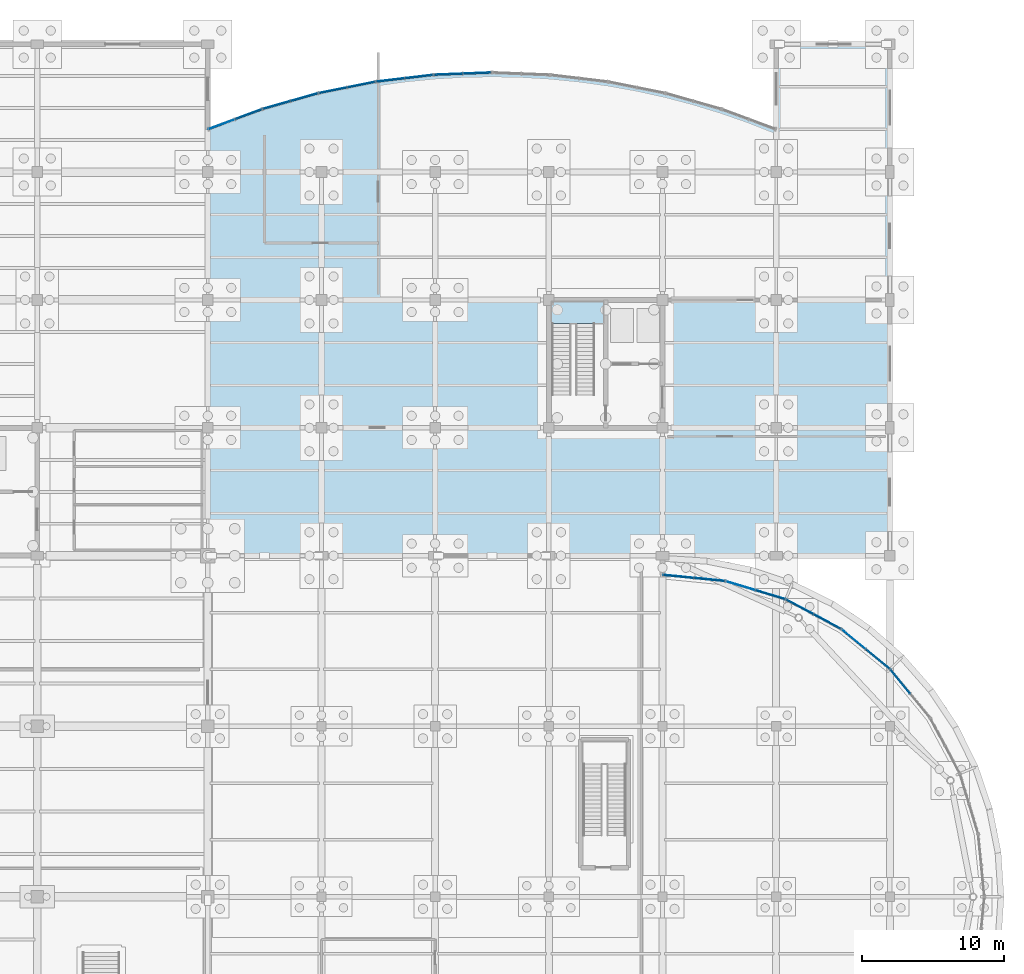
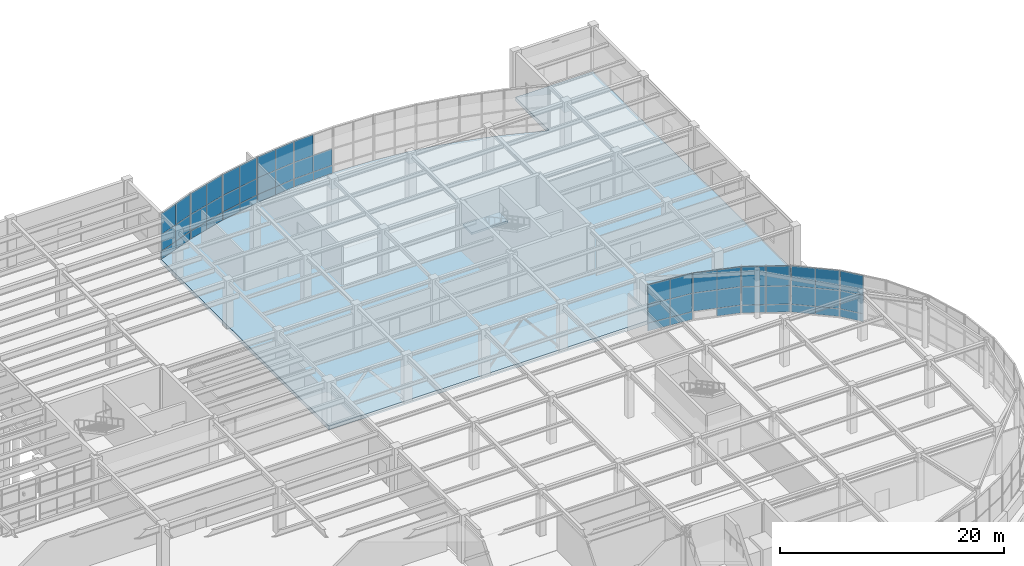
# One storey, part 57 of 85: 55 plates, 2 slabs, 11 elements without a shape of their own.
"""IFC4 building model written with IfcOpenShell, lengths in metres."""

import ifcopenshell
import ifcopenshell.guid

model = None  # the IFC model being written
_history = None  # IfcOwnerHistory: only IFC2X3 demands one
_inside = {}  # id of a spatial element -> (the spatial element, [elements in it])
_under = {}  # id of a project, library or spatial element -> (it, [spatial elements below it])
_declared = {}  # id of a project -> (the project, [libraries it declares])
_typed = {}  # id of a type object -> (the type object, [elements of that type])
_made_of = {}  # id of a material, layer set ... -> (it, [elements and type objects made of it])


def new_model(schema):
    """Start an empty IFC model of exactly this schema.

    Asked for "IFC4X3", IfcOpenShell would pick the latest addendum, in which some entities
    have other attributes; the version numbers below select the first issue.
    IFC2X3 requires an IfcOwnerHistory on every rooted entity: one is made here for all.
    """
    global model, _history
    if schema == "IFC4X3":
        model = ifcopenshell.file(schema_version=(4, 3, 0, 0))
    else:
        model = ifcopenshell.file(schema=schema)
    _inside.clear()
    _under.clear()
    _declared.clear()
    _typed.clear()
    _made_of.clear()
    _history = None
    if model.schema == "IFC2X3":
        org = make("IfcOrganization", Name="unknown")
        user = make(
            "IfcPersonAndOrganization",
            ThePerson=make("IfcPerson", FamilyName="unknown"),
            TheOrganization=org,
        )
        app = make(
            "IfcApplication",
            ApplicationDeveloper=org,
            Version="unknown",
            ApplicationFullName="unknown",
            ApplicationIdentifier="unknown",
        )
        _history = make(
            "IfcOwnerHistory",
            OwningUser=user,
            OwningApplication=app,
            ChangeAction="ADDED",
            CreationDate=0,
        )
    return model


def make(cls, **values):
    """One entity of the class cls with the attributes given. An attribute that is None is left unset."""
    return model.create_entity(
        cls, **{name: value for name, value in values.items() if value is not None}
    )


def rooted(cls, **values):
    """An entity with a GlobalId (a new one), such as an element, a storey or a relation."""
    return make(cls, GlobalId=ifcopenshell.guid.new(), OwnerHistory=_history, **values)


def si_unit(unit_type, name, prefix=None):
    """IfcSIUnit, for example si_unit("LENGTHUNIT", "METRE", prefix="MILLI")."""
    return make("IfcSIUnit", UnitType=unit_type, Prefix=prefix, Name=name)


def assignment(units):
    """IfcUnitAssignment: the units of a project."""
    return None if units is None else make("IfcUnitAssignment", Units=units)


def point(xyz):
    """IfcCartesianPoint."""
    return None if xyz is None else make("IfcCartesianPoint", Coordinates=xyz)


def direction(xyz):
    """IfcDirection."""
    return None if xyz is None else make("IfcDirection", DirectionRatios=xyz)


def frame(location, z_axis=None, x_axis=None):
    """IfcAxis2Placement3D, a coordinate frame: its origin and axes. An axis left out is left unset."""
    return make(
        "IfcAxis2Placement3D",
        Location=point(location),
        Axis=direction(z_axis),
        RefDirection=direction(x_axis),
    )


def frame_2d(location, x_axis=None):
    """IfcAxis2Placement2D, a coordinate frame in the plane: its origin and x axis."""
    return make(
        "IfcAxis2Placement2D", Location=point(location), RefDirection=direction(x_axis)
    )


def origin():
    """The frame at (0, 0, 0) with its axes left unset."""
    return frame((0.0, 0.0, 0.0))


def origin_2d():
    """The frame at (0, 0) in the plane with its x axis left unset."""
    return frame_2d((0.0, 0.0))


def place(relative_to, where):
    """IfcLocalPlacement: puts the frame where relative to a parent placement (None: the world)."""
    return make(
        "IfcLocalPlacement", PlacementRelTo=relative_to, RelativePlacement=where
    )


def context(
    kind, dimensions, precision=None, world=None, true_north=None, identifier=None
):
    """IfcGeometricRepresentationContext, for example the 3D "Model" context."""
    return make(
        "IfcGeometricRepresentationContext",
        ContextIdentifier=identifier,
        ContextType=kind,
        CoordinateSpaceDimension=dimensions,
        Precision=precision,
        WorldCoordinateSystem=world,
        TrueNorth=true_north,
    )


def subcontext(parent, identifier, kind, view, scale=None):
    """IfcGeometricRepresentationSubContext, for example "Body" below "Model"."""
    return make(
        "IfcGeometricRepresentationSubContext",
        ContextIdentifier=identifier,
        ContextType=kind,
        ParentContext=parent,
        TargetScale=scale,
        TargetView=view,
    )


def project(units=None, contexts=None):
    """IfcProject with its units and contexts."""
    return rooted(
        "IfcProject",
        Name="project",
        RepresentationContexts=contexts,
        UnitsInContext=assignment(units),
    )


def spatial(cls, under=None, at=None, **own):
    """A site, building, storey or space (cls), placed at a placement, below another one or the project."""
    s = rooted(cls, ObjectPlacement=at, **own)
    if under is not None:
        _under.setdefault(under.id(), (under, []))[1].append(s)
    return s


def polyline(points):
    """IfcPolyline through the points."""
    return make("IfcPolyline", Points=[point(p) for p in points])


def profile(cls, at=None, kind="AREA", **sizes):
    """A parametric profile (cls). Its sizes go by their IFC names, for example OverallWidth=200.0."""
    return make(cls, ProfileType=kind, Position=at, **sizes)


def rectangle(**sizes):
    """IfcRectangleProfileDef."""
    return profile("IfcRectangleProfileDef", **sizes)


def outline(outer, holes=None, kind="AREA"):
    """IfcArbitraryClosedProfileDef: a profile drawn as a closed curve; with holes, ...WithVoids."""
    if holes is None:
        return make("IfcArbitraryClosedProfileDef", ProfileType=kind, OuterCurve=outer)
    return make(
        "IfcArbitraryProfileDefWithVoids",
        ProfileType=kind,
        OuterCurve=outer,
        InnerCurves=holes,
    )


def extrude(swept, where, along, depth):
    """IfcExtrudedAreaSolid: the profile swept, set in the frame where, extruded along a direction by depth."""
    return make(
        "IfcExtrudedAreaSolid",
        SweptArea=swept,
        Position=where,
        ExtrudedDirection=direction(along),
        Depth=depth,
    )


def shape(context_of_items, identifier, shape_type, items):
    """IfcShapeRepresentation: the items that make up one representation, for example the "Body"."""
    return make(
        "IfcShapeRepresentation",
        ContextOfItems=context_of_items,
        RepresentationIdentifier=identifier,
        RepresentationType=shape_type,
        Items=items,
    )


def material(Name=None, Category=None):
    """IfcMaterial."""
    return make("IfcMaterial", Name=Name, Category=Category)


def layer(
    of_material, thickness, ventilated=None, Name=None, Category=None, Priority=None
):
    """IfcMaterialLayer: one layer of a wall or slab, of a material (None: an air gap)."""
    return make(
        "IfcMaterialLayer",
        Material=of_material,
        LayerThickness=thickness,
        IsVentilated=ventilated,
        Name=Name,
        Category=Category,
        Priority=Priority,
    )


def layer_set(layers, Name=None):
    """IfcMaterialLayerSet."""
    return make("IfcMaterialLayerSet", MaterialLayers=layers, LayerSetName=Name)


def made_of(thing, what):
    """Note that an element or type object is made of a material, layer set ...; save() writes the relation."""
    if what is not None:
        _made_of.setdefault(what.id(), (what, []))[1].append(thing)
    return thing


def type_object(cls, material=None, **own):
    """A type object (cls), such as IfcWallType, which elements share."""
    return made_of(rooted(cls, **own), material)


def element(
    cls,
    number,
    at=None,
    inside=None,
    cuts=None,
    type_object=None,
    material=None,
    context=None,
    identifier="Body",
    shape_type=None,
    held_by="IfcProductDefinitionShape",
    body=None,
    shapes=None,
    **own,
):
    """One element of the class cls, such as IfcWall. Its Tag is "e" and its number.

    at: its placement. inside: the storey or other place that contains it. cuts: it is an
    opening in that element (IfcRelVoidsElement). A single representation is given by context,
    identifier, shape_type and body (its items); several are given by shapes. held_by: the class
    of the entity that holds the representations. save() writes the other relations.
    """
    e = rooted(cls, Tag="e%d" % number, ObjectPlacement=at, **own)
    if body is not None:
        shapes = [shape(context, identifier, shape_type, body)]
    if shapes is not None:
        e.Representation = make(held_by, Representations=shapes)
    if inside is not None:
        _inside.setdefault(inside.id(), (inside, []))[1].append(e)
    if cuts is not None:
        rooted(
            "IfcRelVoidsElement", RelatingBuildingElement=cuts, RelatedOpeningElement=e
        )
    if type_object is not None:
        _typed.setdefault(type_object.id(), (type_object, []))[1].append(e)
    return made_of(e, material)


def aggregate(whole, parts):
    """IfcRelAggregates: a whole, such as a stair, and the parts it consists of."""
    return rooted("IfcRelAggregates", RelatingObject=whole, RelatedObjects=parts)


def save(model, path):
    """Write the relations noted so far, then the file.

    IfcRelAggregates (storeys below a building ...), IfcRelContainedInSpatialStructure (elements
    in a storey), IfcRelDefinesByType, IfcRelAssociatesMaterial and IfcRelDeclares: one each for
    every whole, place, type object, material and project.
    """
    for whole, parts in _under.values():
        aggregate(whole, parts)
    for where, things in _inside.values():
        rooted(
            "IfcRelContainedInSpatialStructure",
            RelatedElements=things,
            RelatingStructure=where,
        )
    for kind, things in _typed.values():
        rooted("IfcRelDefinesByType", RelatedObjects=things, RelatingType=kind)
    for what, things in _made_of.values():
        rooted("IfcRelAssociatesMaterial", RelatedObjects=things, RelatingMaterial=what)
    for by, libraries in _declared.values():
        rooted("IfcRelDeclares", RelatingContext=by, RelatedDefinitions=libraries)
    model.write(path)


model = new_model("IFC4")

# Units and contexts
model_context = context("Model", 3, precision=1e-05, world=origin(), true_north=direction((0.0, 1.0)))
body_context = subcontext(model_context, "Body", "Model", "MODEL_VIEW")
ifc_project = project(units=[si_unit("LENGTHUNIT", "METRE"), si_unit("AREAUNIT", "SQUARE_METRE"), si_unit("VOLUMEUNIT", "CUBIC_METRE"), si_unit("PLANEANGLEUNIT", "RADIAN"), si_unit("MASSUNIT", "GRAM", prefix="KILO")], contexts=[model_context])

# Site, building, storey
site_placement = place(None, origin())
site = spatial("IfcSite", under=ifc_project, at=site_placement, CompositionType="ELEMENT")
building_placement = place(site_placement, origin())
building = spatial("IfcBuilding", under=site, at=building_placement, Name="Keelwater Ferry Terminal", CompositionType="ELEMENT")
storey_placement = place(building_placement, origin())
storey = spatial("IfcBuildingStorey", under=building, at=storey_placement, Name="L00", CompositionType="ELEMENT", Elevation=0.0)

# Curtain wall, plate
ifc_material_1 = material(Name="Thermally broken unitised aluminium and triple glass", Category="aluminium")
ifc_layer_1 = layer(ifc_material_1, 0.179931640625)
ifc_layer_set_1 = layer_set([ifc_layer_1], Name="Thermally broken unitised aluminium and triple glass")
curtain_wall_type_1 = type_object("IfcCurtainWallType", Name="CW-17 Unitised Curtain Wall 4350x5020", PredefinedType="USERDEFINED", material=ifc_layer_set_1)
curtain_wall_1_placement = place(storey_placement, origin())
curtain_wall_1 = element("IfcCurtainWall", 1, at=curtain_wall_1_placement, inside=storey, type_object=curtain_wall_type_1, Name="Unitised Curtain Wall CW-L00-104", ObjectType="UNITISED CURTAIN WALL", PredefinedType="USERDEFINED")
ifc_material_2 = material(Name="Insulated white cassette spandrel", Category="aluminium")
ifc_layer_2 = layer(ifc_material_2, 0.094970703125)
ifc_layer_set_2 = layer_set([ifc_layer_2], Name="Insulated white cassette spandrel")
plate_type_1 = type_object("IfcPlateType", Name="CWP-S2 Insulated Spandrel Panel 95", PredefinedType="CURTAIN_PANEL", material=ifc_layer_set_2)
plate_1_placement = place(storey_placement, frame((180.73486328125, 81.140380859375, 0.0), z_axis=(0.0, 0.0, 1.0), x_axis=(-0.634376508991, 0.773024220086, 0.0)))
plate_1 = element("IfcPlate", 2, at=plate_1_placement, type_object=plate_type_1, Name="CW-L00-104 Panel 2.1", PredefinedType="CURTAIN_PANEL", context=body_context, shape_type="SweptSolid", body=[
    extrude(rectangle(XDim=2.174560546875, YDim=0.094970703125, at=origin_2d()), origin(), (0.0, 0.0, 1.0), 0.85009765625),
])

# Curtain wall, plates
curtain_wall_2_placement = place(storey_placement, origin())
curtain_wall_2 = element("IfcCurtainWall", 3, at=curtain_wall_2_placement, inside=storey, type_object=curtain_wall_type_1, Name="Unitised Curtain Wall CW-L00-105", ObjectType="UNITISED CURTAIN WALL", PredefinedType="USERDEFINED")
plate_2_placement = place(storey_placement, frame((179.140380859375, 82.73486328125, 0.0), z_axis=(0.0, 0.0, 1.0), x_axis=(-0.773024220086, 0.634376508991, 0.0)))
plate_2 = element("IfcPlate", 4, at=plate_2_placement, type_object=plate_type_1, Name="CW-L00-105 Panel 1.1", PredefinedType="CURTAIN_PANEL", context=body_context, shape_type="SweptSolid", body=[
    extrude(rectangle(XDim=2.174560546875, YDim=0.094970703125, at=origin_2d()), origin(), (0.0, 0.0, 1.0), 0.85009765625),
])
plate_3_placement = place(storey_placement, frame((177.45947265625, 84.1142578125, 0.0), z_axis=(0.0, 0.0, 1.0), x_axis=(-0.773024220086, 0.634376508991, 0.0)))
plate_3 = element("IfcPlate", 5, at=plate_3_placement, type_object=plate_type_1, Name="CW-L00-105 Panel 2.1", PredefinedType="CURTAIN_PANEL", context=body_context, shape_type="SweptSolid", body=[
    extrude(rectangle(XDim=2.174560546875, YDim=0.094970703125, at=origin_2d()), origin(), (0.0, 0.0, 1.0), 0.85009765625),
])

curtain_wall_3_placement = place(storey_placement, origin())
curtain_wall_3 = element("IfcCurtainWall", 6, at=curtain_wall_3_placement, inside=storey, type_object=curtain_wall_type_1, Name="Unitised Curtain Wall CW-L00-106", ObjectType="UNITISED CURTAIN WALL", PredefinedType="USERDEFINED")
plate_4_placement = place(storey_placement, frame((175.5849609375, 85.36669921875, 0.0), z_axis=(0.0, 0.0, 1.0), x_axis=(-0.881862452632, 0.471506749303, 0.0)))
plate_4 = element("IfcPlate", 7, at=plate_4_placement, type_object=plate_type_1, Name="CW-L00-106 Panel 1.1", PredefinedType="CURTAIN_PANEL", context=body_context, shape_type="SweptSolid", body=[
    extrude(rectangle(XDim=2.175048828125, YDim=0.094970703125, at=origin_2d()), origin(), (0.0, 0.0, 1.0), 0.85009765625),
])
plate_5_placement = place(storey_placement, frame((173.6669921875, 86.392333984375, 0.0), z_axis=(0.0, 0.0, 1.0), x_axis=(-0.881862452632, 0.471506749303, 0.0)))
plate_5 = element("IfcPlate", 8, at=plate_5_placement, type_object=plate_type_1, Name="CW-L00-106 Panel 2.1", PredefinedType="CURTAIN_PANEL", context=body_context, shape_type="SweptSolid", body=[
    extrude(rectangle(XDim=2.175048828125, YDim=0.094970703125, at=origin_2d()), origin(), (0.0, 0.0, 1.0), 0.85009765625),
])

# Curtain wall, plate
curtain_wall_4_placement = place(storey_placement, origin())
curtain_wall_4 = element("IfcCurtainWall", 9, at=curtain_wall_4_placement, inside=storey, type_object=curtain_wall_type_1, Name="Unitised Curtain Wall CW-L00-107", ObjectType="UNITISED CURTAIN WALL", PredefinedType="USERDEFINED")
plate_6_placement = place(storey_placement, frame((171.584228515625, 87.254638671875, 0.0), z_axis=(0.0, 0.0, 1.0), x_axis=(-0.956929623319, 0.290319989003, 0.0)))
plate_6 = element("IfcPlate", 10, at=plate_6_placement, type_object=plate_type_1, Name="CW-L00-107 Panel 1.1", PredefinedType="CURTAIN_PANEL", context=body_context, shape_type="SweptSolid", body=[
    extrude(rectangle(XDim=2.17529296875, YDim=0.094970703125, at=origin_2d()), origin(), (0.0, 0.0, 1.0), 0.85009765625),
])

# Curtain wall, plates
curtain_wall_5_placement = place(storey_placement, origin())
curtain_wall_5 = element("IfcCurtainWall", 11, at=curtain_wall_5_placement, inside=storey, type_object=curtain_wall_type_1, Name="Unitised Curtain Wall CW-L00-108", ObjectType="UNITISED CURTAIN WALL", PredefinedType="USERDEFINED")
plate_7_placement = place(storey_placement, frame((167.291748046875, 88.32568359375, 0.0), z_axis=(0.0, 0.0, 1.0), x_axis=(-0.995170573079, 0.098160737969, 0.0)))
plate_7 = element("IfcPlate", 12, at=plate_7_placement, type_object=plate_type_1, Name="CW-L00-108 Panel 1.1", PredefinedType="CURTAIN_PANEL", context=body_context, shape_type="SweptSolid", body=[
    extrude(rectangle(XDim=2.175048828125, YDim=0.094970703125, at=origin_2d()), origin(), (0.0, 0.0, 1.0), 0.85009765625),
])
plate_8_placement = place(storey_placement, frame((165.127197265625, 88.539306640625, 0.0), z_axis=(0.0, 0.0, 1.0), x_axis=(-0.995170573079, 0.098160737969, 0.0)))
plate_8 = element("IfcPlate", 13, at=plate_8_placement, type_object=plate_type_1, Name="CW-L00-108 Panel 2.1", PredefinedType="CURTAIN_PANEL", context=body_context, shape_type="SweptSolid", body=[
    extrude(rectangle(XDim=2.175048828125, YDim=0.094970703125, at=origin_2d()), origin(), (0.0, 0.0, 1.0), 0.85009765625),
])

ifc_material_3 = material(Name="Thermally broken unitised aluminium and triple glass", Category="aluminium")
ifc_layer_3 = layer(ifc_material_3, 0.179931640625)
ifc_layer_set_3 = layer_set([ifc_layer_3], Name="Thermally broken unitised aluminium and triple glass")
curtain_wall_type_2 = type_object("IfcCurtainWallType", Name="CW-20 Unitised Curtain Wall 4015x4950", PredefinedType="USERDEFINED", material=ifc_layer_set_3)
curtain_wall_6_placement = place(storey_placement, origin())
curtain_wall_6 = element("IfcCurtainWall", 14, at=curtain_wall_6_placement, inside=storey, type_object=curtain_wall_type_2, Name="Unitised Curtain Wall CW-L00-178", ObjectType="UNITISED CURTAIN WALL", PredefinedType="USERDEFINED")
ifc_material_4 = material(Name="Insulated terracotta shadow-box spandrel", Category="masonry")
ifc_layer_4 = layer(ifc_material_4, 0.110107421875)
ifc_layer_set_4 = layer_set([ifc_layer_4], Name="Insulated terracotta shadow-box spandrel")
plate_type_2 = type_object("IfcPlateType", Name="CWP-S3 Insulated Spandrel Panel 110", PredefinedType="CURTAIN_PANEL", material=ifc_layer_set_4)
plate_9_placement = place(storey_placement, frame((150.951904296875, 123.95849609375, 0.0), z_axis=(0.0, 0.0, 1.0), x_axis=(-0.999225435626, -0.039351350652, 0.0)))
plate_9 = element("IfcPlate", 15, at=plate_9_placement, type_object=plate_type_2, Name="CW-L00-178 Panel 1.1", PredefinedType="CURTAIN_PANEL", context=body_context, shape_type="SweptSolid", body=[
    extrude(rectangle(XDim=2.007568359375, YDim=0.110107421875, at=origin_2d()), origin(), (0.0, 0.0, 1.0), 0.85009765625),
])
plate_10_placement = place(storey_placement, frame((148.946044921875, 123.87939453125, 0.0), z_axis=(0.0, 0.0, 1.0), x_axis=(-0.999225435626, -0.039351350652, 0.0)))
plate_10 = element("IfcPlate", 16, at=plate_10_placement, type_object=plate_type_2, Name="CW-L00-178 Panel 2.1", PredefinedType="CURTAIN_PANEL", context=body_context, shape_type="SweptSolid", body=[
    extrude(rectangle(XDim=2.007568359375, YDim=0.110107421875, at=origin_2d()), origin(), (0.0, 0.0, 1.0), 0.85009765625),
])

curtain_wall_7_placement = place(storey_placement, origin())
curtain_wall_7 = element("IfcCurtainWall", 17, at=curtain_wall_7_placement, inside=storey, type_object=curtain_wall_type_2, Name="Unitised Curtain Wall CW-L00-179", ObjectType="UNITISED CURTAIN WALL", PredefinedType="USERDEFINED")
plate_11_placement = place(storey_placement, frame((146.8564453125, 123.71435546875, 0.0), z_axis=(0.0, 0.0, 1.0), x_axis=(-0.992974342459, -0.118329857676, 0.0)))
plate_11 = element("IfcPlate", 18, at=plate_11_placement, type_object=plate_type_2, Name="CW-L00-179 Panel 1.1", PredefinedType="CURTAIN_PANEL", context=body_context, shape_type="SweptSolid", body=[
    extrude(rectangle(XDim=2.007080078125, YDim=0.110107421875, at=origin_2d()), origin(), (0.0, 0.0, 1.0), 0.85009765625),
])
plate_12_placement = place(storey_placement, frame((144.863525390625, 123.476806640625, 0.0), z_axis=(0.0, 0.0, 1.0), x_axis=(-0.992974342459, -0.118329857676, 0.0)))
plate_12 = element("IfcPlate", 19, at=plate_12_placement, type_object=plate_type_2, Name="CW-L00-179 Panel 2.1", PredefinedType="CURTAIN_PANEL", context=body_context, shape_type="SweptSolid", body=[
    extrude(rectangle(XDim=2.007080078125, YDim=0.110107421875, at=origin_2d()), origin(), (0.0, 0.0, 1.0), 0.85009765625),
])

curtain_wall_8_placement = place(storey_placement, origin())
curtain_wall_8 = element("IfcCurtainWall", 20, at=curtain_wall_8_placement, inside=storey, type_object=curtain_wall_type_2, Name="Unitised Curtain Wall CW-L00-180", ObjectType="UNITISED CURTAIN WALL", PredefinedType="USERDEFINED")
plate_13_placement = place(storey_placement, frame((142.793701171875, 123.147216796875, 0.0), z_axis=(0.0, 0.0, 1.0), x_axis=(-0.98059983046, -0.196020336958, 0.0)))
plate_13 = element("IfcPlate", 21, at=plate_13_placement, type_object=plate_type_2, Name="CW-L00-180 Panel 1.1", PredefinedType="CURTAIN_PANEL", context=body_context, shape_type="SweptSolid", body=[
    extrude(rectangle(XDim=2.00732421875, YDim=0.110107421875, at=origin_2d()), origin(), (0.0, 0.0, 1.0), 0.85009765625),
])
plate_14_placement = place(storey_placement, frame((140.8251953125, 122.753662109375, 0.0), z_axis=(0.0, 0.0, 1.0), x_axis=(-0.98059983046, -0.196020336958, 0.0)))
plate_14 = element("IfcPlate", 22, at=plate_14_placement, type_object=plate_type_2, Name="CW-L00-180 Panel 2.1", PredefinedType="CURTAIN_PANEL", context=body_context, shape_type="SweptSolid", body=[
    extrude(rectangle(XDim=2.00732421875, YDim=0.110107421875, at=origin_2d()), origin(), (0.0, 0.0, 1.0), 0.85009765625),
])

curtain_wall_9_placement = place(storey_placement, origin())
curtain_wall_9 = element("IfcCurtainWall", 23, at=curtain_wall_9_placement, inside=storey, type_object=curtain_wall_type_2, Name="Unitised Curtain Wall CW-L00-181", ObjectType="UNITISED CURTAIN WALL", PredefinedType="USERDEFINED")
plate_15_placement = place(storey_placement, frame((138.788330078125, 122.261962890625, 0.0), z_axis=(0.0, 0.0, 1.0), x_axis=(-0.962029778706, -0.272944508797, 0.0)))
plate_15 = element("IfcPlate", 24, at=plate_15_placement, type_object=plate_type_2, Name="CW-L00-181 Panel 1.1", PredefinedType="CURTAIN_PANEL", context=body_context, shape_type="SweptSolid", body=[
    extrude(rectangle(XDim=2.0078125, YDim=0.110107421875, at=origin_2d()), origin(), (0.0, 0.0, 1.0), 0.85009765625),
])
plate_16_placement = place(storey_placement, frame((136.856689453125, 121.714111328125, 0.0), z_axis=(0.0, 0.0, 1.0), x_axis=(-0.962029778706, -0.272944508797, 0.0)))
plate_16 = element("IfcPlate", 25, at=plate_16_placement, type_object=plate_type_2, Name="CW-L00-181 Panel 2.1", PredefinedType="CURTAIN_PANEL", context=body_context, shape_type="SweptSolid", body=[
    extrude(rectangle(XDim=2.0078125, YDim=0.110107421875, at=origin_2d()), origin(), (0.0, 0.0, 1.0), 0.85009765625),
])

curtain_wall_10_placement = place(storey_placement, origin())
curtain_wall_10 = element("IfcCurtainWall", 26, at=curtain_wall_10_placement, inside=storey, type_object=curtain_wall_type_2, Name="Unitised Curtain Wall CW-L00-182", ObjectType="UNITISED CURTAIN WALL", PredefinedType="USERDEFINED")
plate_17_placement = place(storey_placement, frame((134.864990234375, 121.06298828125, 0.0), z_axis=(0.0, 0.0, 1.0), x_axis=(-0.937592418253, -0.347736189136, 0.0)))
plate_17 = element("IfcPlate", 27, at=plate_17_placement, type_object=plate_type_2, Name="CW-L00-182 Panel 1.1", PredefinedType="CURTAIN_PANEL", context=body_context, shape_type="SweptSolid", body=[
    extrude(rectangle(XDim=2.00732421875, YDim=0.110107421875, at=origin_2d()), origin(), (0.0, 0.0, 1.0), 0.85009765625),
])
plate_18_placement = place(storey_placement, frame((132.98291015625, 120.364990234375, 0.0), z_axis=(0.0, 0.0, 1.0), x_axis=(-0.937592418253, -0.347736189136, 0.0)))
plate_18 = element("IfcPlate", 28, at=plate_18_placement, type_object=plate_type_2, Name="CW-L00-182 Panel 2.1", PredefinedType="CURTAIN_PANEL", context=body_context, shape_type="SweptSolid", body=[
    extrude(rectangle(XDim=2.00732421875, YDim=0.110107421875, at=origin_2d()), origin(), (0.0, 0.0, 1.0), 0.85009765625),
])

# Plate
ifc_material_5 = material(Name="Triple low-E laminated glass", Category="glass")
ifc_layer_5 = layer(ifc_material_5, 0.035888671875)
ifc_layer_set_5 = layer_set([ifc_layer_5], Name="Triple low-E laminated glass")
plate_type_3 = type_object("IfcPlateType", Name="CWP-V1 Glazed Vision Panel 36", PredefinedType="CURTAIN_PANEL", material=ifc_layer_set_5)
plate_19_placement = place(storey_placement, frame((150.951904296875, 123.95849609375, 0.85009765625), z_axis=(0.0, 0.0, 1.0), x_axis=(-0.999225435626, -0.039351350652, 0.0)))
plate_19 = element("IfcPlate", 29, at=plate_19_placement, type_object=plate_type_3, Name="CW-L00-178 Panel 1.2", PredefinedType="CURTAIN_PANEL", context=body_context, shape_type="SweptSolid", body=[
    extrude(rectangle(XDim=2.007568359375, YDim=0.035888671875, at=origin_2d()), origin(), (0.0, 0.0, 1.0), 1.800048828125),
])

plate_20_placement = place(storey_placement, frame((148.946044921875, 123.87939453125, 0.85009765625), z_axis=(0.0, 0.0, 1.0), x_axis=(-0.999225435626, -0.039351350652, 0.0)))
plate_20 = element("IfcPlate", 30, at=plate_20_placement, type_object=plate_type_3, Name="CW-L00-178 Panel 2.2", PredefinedType="CURTAIN_PANEL", context=body_context, shape_type="SweptSolid", body=[
    extrude(rectangle(XDim=2.007568359375, YDim=0.035888671875, at=origin_2d()), origin(), (0.0, 0.0, 1.0), 1.800048828125),
])

plate_21_placement = place(storey_placement, frame((148.946044921875, 123.87939453125, 2.64990234375), z_axis=(0.0, 0.0, 1.0), x_axis=(-0.999225435626, -0.039351350652, 0.0)))
plate_21 = element("IfcPlate", 31, at=plate_21_placement, type_object=plate_type_3, Name="CW-L00-178 Panel 2.3", PredefinedType="CURTAIN_PANEL", context=body_context, shape_type="SweptSolid", body=[
    extrude(rectangle(XDim=2.007568359375, YDim=0.035888671875, at=origin_2d()), origin(), (0.0, 0.0, 1.0), 2.300048828125),
])

aggregate(curtain_wall_6, [plate_9, plate_19, plate_10, plate_20, plate_21])

plate_22_placement = place(storey_placement, frame((146.8564453125, 123.71435546875, 0.85009765625), z_axis=(0.0, 0.0, 1.0), x_axis=(-0.992974342459, -0.118329857676, 0.0)))
plate_22 = element("IfcPlate", 32, at=plate_22_placement, type_object=plate_type_3, Name="CW-L00-179 Panel 1.2", PredefinedType="CURTAIN_PANEL", context=body_context, shape_type="SweptSolid", body=[
    extrude(rectangle(XDim=2.007080078125, YDim=0.035888671875, at=origin_2d()), origin(), (0.0, 0.0, 1.0), 1.800048828125),
])

plate_23_placement = place(storey_placement, frame((146.8564453125, 123.71435546875, 2.64990234375), z_axis=(0.0, 0.0, 1.0), x_axis=(-0.992974342459, -0.118329857676, 0.0)))
plate_23 = element("IfcPlate", 33, at=plate_23_placement, type_object=plate_type_3, Name="CW-L00-179 Panel 1.3", PredefinedType="CURTAIN_PANEL", context=body_context, shape_type="SweptSolid", body=[
    extrude(rectangle(XDim=2.007080078125, YDim=0.035888671875, at=origin_2d()), origin(), (0.0, 0.0, 1.0), 2.300048828125),
])

plate_24_placement = place(storey_placement, frame((144.863525390625, 123.476806640625, 0.85009765625), z_axis=(0.0, 0.0, 1.0), x_axis=(-0.992974342459, -0.118329857676, 0.0)))
plate_24 = element("IfcPlate", 34, at=plate_24_placement, type_object=plate_type_3, Name="CW-L00-179 Panel 2.2", PredefinedType="CURTAIN_PANEL", context=body_context, shape_type="SweptSolid", body=[
    extrude(rectangle(XDim=2.007080078125, YDim=0.035888671875, at=origin_2d()), origin(), (0.0, 0.0, 1.0), 1.800048828125),
])

plate_25_placement = place(storey_placement, frame((144.863525390625, 123.476806640625, 2.64990234375), z_axis=(0.0, 0.0, 1.0), x_axis=(-0.992974342459, -0.118329857676, 0.0)))
plate_25 = element("IfcPlate", 35, at=plate_25_placement, type_object=plate_type_3, Name="CW-L00-179 Panel 2.3", PredefinedType="CURTAIN_PANEL", context=body_context, shape_type="SweptSolid", body=[
    extrude(rectangle(XDim=2.007080078125, YDim=0.035888671875, at=origin_2d()), origin(), (0.0, 0.0, 1.0), 2.300048828125),
])

aggregate(curtain_wall_7, [plate_11, plate_22, plate_23, plate_12, plate_24, plate_25])

plate_26_placement = place(storey_placement, frame((142.793701171875, 123.147216796875, 0.85009765625), z_axis=(0.0, 0.0, 1.0), x_axis=(-0.98059983046, -0.196020336958, 0.0)))
plate_26 = element("IfcPlate", 36, at=plate_26_placement, type_object=plate_type_3, Name="CW-L00-180 Panel 1.2", PredefinedType="CURTAIN_PANEL", context=body_context, shape_type="SweptSolid", body=[
    extrude(rectangle(XDim=2.00732421875, YDim=0.035888671875, at=origin_2d()), origin(), (0.0, 0.0, 1.0), 1.800048828125),
])

plate_27_placement = place(storey_placement, frame((142.793701171875, 123.147216796875, 2.64990234375), z_axis=(0.0, 0.0, 1.0), x_axis=(-0.98059983046, -0.196020336958, 0.0)))
plate_27 = element("IfcPlate", 37, at=plate_27_placement, type_object=plate_type_3, Name="CW-L00-180 Panel 1.3", PredefinedType="CURTAIN_PANEL", context=body_context, shape_type="SweptSolid", body=[
    extrude(rectangle(XDim=2.00732421875, YDim=0.035888671875, at=origin_2d()), origin(), (0.0, 0.0, 1.0), 2.300048828125),
])

plate_28_placement = place(storey_placement, frame((140.8251953125, 122.753662109375, 0.85009765625), z_axis=(0.0, 0.0, 1.0), x_axis=(-0.98059983046, -0.196020336958, 0.0)))
plate_28 = element("IfcPlate", 38, at=plate_28_placement, type_object=plate_type_3, Name="CW-L00-180 Panel 2.2", PredefinedType="CURTAIN_PANEL", context=body_context, shape_type="SweptSolid", body=[
    extrude(rectangle(XDim=2.00732421875, YDim=0.035888671875, at=origin_2d()), origin(), (0.0, 0.0, 1.0), 1.800048828125),
])

plate_29_placement = place(storey_placement, frame((140.8251953125, 122.753662109375, 2.64990234375), z_axis=(0.0, 0.0, 1.0), x_axis=(-0.98059983046, -0.196020336958, 0.0)))
plate_29 = element("IfcPlate", 39, at=plate_29_placement, type_object=plate_type_3, Name="CW-L00-180 Panel 2.3", PredefinedType="CURTAIN_PANEL", context=body_context, shape_type="SweptSolid", body=[
    extrude(rectangle(XDim=2.00732421875, YDim=0.035888671875, at=origin_2d()), origin(), (0.0, 0.0, 1.0), 2.300048828125),
])

aggregate(curtain_wall_8, [plate_13, plate_26, plate_27, plate_14, plate_28, plate_29])

plate_30_placement = place(storey_placement, frame((138.788330078125, 122.261962890625, 0.85009765625), z_axis=(0.0, 0.0, 1.0), x_axis=(-0.962029778706, -0.272944508797, 0.0)))
plate_30 = element("IfcPlate", 40, at=plate_30_placement, type_object=plate_type_3, Name="CW-L00-181 Panel 1.2", PredefinedType="CURTAIN_PANEL", context=body_context, shape_type="SweptSolid", body=[
    extrude(rectangle(XDim=2.0078125, YDim=0.035888671875, at=origin_2d()), origin(), (0.0, 0.0, 1.0), 1.800048828125),
])

plate_31_placement = place(storey_placement, frame((138.788330078125, 122.261962890625, 2.64990234375), z_axis=(0.0, 0.0, 1.0), x_axis=(-0.962029778706, -0.272944508797, 0.0)))
plate_31 = element("IfcPlate", 41, at=plate_31_placement, type_object=plate_type_3, Name="CW-L00-181 Panel 1.3", PredefinedType="CURTAIN_PANEL", context=body_context, shape_type="SweptSolid", body=[
    extrude(rectangle(XDim=2.0078125, YDim=0.035888671875, at=origin_2d()), origin(), (0.0, 0.0, 1.0), 2.300048828125),
])

plate_32_placement = place(storey_placement, frame((136.856689453125, 121.714111328125, 0.85009765625), z_axis=(0.0, 0.0, 1.0), x_axis=(-0.962029778706, -0.272944508797, 0.0)))
plate_32 = element("IfcPlate", 42, at=plate_32_placement, type_object=plate_type_3, Name="CW-L00-181 Panel 2.2", PredefinedType="CURTAIN_PANEL", context=body_context, shape_type="SweptSolid", body=[
    extrude(rectangle(XDim=2.0078125, YDim=0.035888671875, at=origin_2d()), origin(), (0.0, 0.0, 1.0), 1.800048828125),
])

plate_33_placement = place(storey_placement, frame((136.856689453125, 121.714111328125, 2.64990234375), z_axis=(0.0, 0.0, 1.0), x_axis=(-0.962029778706, -0.272944508797, 0.0)))
plate_33 = element("IfcPlate", 43, at=plate_33_placement, type_object=plate_type_3, Name="CW-L00-181 Panel 2.3", PredefinedType="CURTAIN_PANEL", context=body_context, shape_type="SweptSolid", body=[
    extrude(rectangle(XDim=2.0078125, YDim=0.035888671875, at=origin_2d()), origin(), (0.0, 0.0, 1.0), 2.300048828125),
])

aggregate(curtain_wall_9, [plate_15, plate_30, plate_31, plate_16, plate_32, plate_33])

plate_34_placement = place(storey_placement, frame((134.864990234375, 121.06298828125, 0.85009765625), z_axis=(0.0, 0.0, 1.0), x_axis=(-0.937592418253, -0.347736189136, 0.0)))
plate_34 = element("IfcPlate", 44, at=plate_34_placement, type_object=plate_type_3, Name="CW-L00-182 Panel 1.2", PredefinedType="CURTAIN_PANEL", context=body_context, shape_type="SweptSolid", body=[
    extrude(rectangle(XDim=2.00732421875, YDim=0.035888671875, at=origin_2d()), origin(), (0.0, 0.0, 1.0), 1.800048828125),
])

plate_35_placement = place(storey_placement, frame((134.864990234375, 121.06298828125, 2.64990234375), z_axis=(0.0, 0.0, 1.0), x_axis=(-0.937592418253, -0.347736189136, 0.0)))
plate_35 = element("IfcPlate", 45, at=plate_35_placement, type_object=plate_type_3, Name="CW-L00-182 Panel 1.3", PredefinedType="CURTAIN_PANEL", context=body_context, shape_type="SweptSolid", body=[
    extrude(rectangle(XDim=2.00732421875, YDim=0.035888671875, at=origin_2d()), origin(), (0.0, 0.0, 1.0), 2.300048828125),
])

plate_36_placement = place(storey_placement, frame((132.98291015625, 120.364990234375, 0.85009765625), z_axis=(0.0, 0.0, 1.0), x_axis=(-0.937592418253, -0.347736189136, 0.0)))
plate_36 = element("IfcPlate", 46, at=plate_36_placement, type_object=plate_type_3, Name="CW-L00-182 Panel 2.2", PredefinedType="CURTAIN_PANEL", context=body_context, shape_type="SweptSolid", body=[
    extrude(rectangle(XDim=2.00732421875, YDim=0.035888671875, at=origin_2d()), origin(), (0.0, 0.0, 1.0), 1.800048828125),
])

plate_37_placement = place(storey_placement, frame((132.98291015625, 120.364990234375, 2.64990234375), z_axis=(0.0, 0.0, 1.0), x_axis=(-0.937592418253, -0.347736189136, 0.0)))
plate_37 = element("IfcPlate", 47, at=plate_37_placement, type_object=plate_type_3, Name="CW-L00-182 Panel 2.3", PredefinedType="CURTAIN_PANEL", context=body_context, shape_type="SweptSolid", body=[
    extrude(rectangle(XDim=2.00732421875, YDim=0.035888671875, at=origin_2d()), origin(), (0.0, 0.0, 1.0), 2.300048828125),
])

aggregate(curtain_wall_10, [plate_17, plate_34, plate_35, plate_18, plate_36, plate_37])

ifc_material_6 = material(Name="Triple solar-control glass", Category="glass")
ifc_layer_6 = layer(ifc_material_6, 0.0419921875)
ifc_layer_set_6 = layer_set([ifc_layer_6], Name="Triple solar-control glass")
plate_type_4 = type_object("IfcPlateType", Name="CWP-V2 Glazed Vision Panel 42", PredefinedType="CURTAIN_PANEL", material=ifc_layer_set_6)
plate_38_placement = place(storey_placement, frame((180.73486328125, 81.140380859375, 0.85009765625), z_axis=(0.0, 0.0, 1.0), x_axis=(-0.634376508991, 0.773024220086, 0.0)))
plate_38 = element("IfcPlate", 48, at=plate_38_placement, type_object=plate_type_4, Name="CW-L00-104 Panel 2.2", PredefinedType="CURTAIN_PANEL", context=body_context, shape_type="SweptSolid", body=[
    extrude(rectangle(XDim=2.174560546875, YDim=0.0419921875, at=origin_2d()), origin(), (0.0, 0.0, 1.0), 2.0),
])

plate_39_placement = place(storey_placement, frame((180.73486328125, 81.140380859375, 2.85009765625), z_axis=(0.0, 0.0, 1.0), x_axis=(-0.634376508991, 0.773024220086, 0.0)))
plate_39 = element("IfcPlate", 49, at=plate_39_placement, type_object=plate_type_4, Name="CW-L00-104 Panel 2.3", PredefinedType="CURTAIN_PANEL", context=body_context, shape_type="SweptSolid", body=[
    extrude(rectangle(XDim=2.174560546875, YDim=0.0419921875, at=origin_2d()), origin(), (0.0, 0.0, 1.0), 2.169921875),
])

aggregate(curtain_wall_1, [plate_1, plate_38, plate_39])

plate_40_placement = place(storey_placement, frame((179.140380859375, 82.73486328125, 0.85009765625), z_axis=(0.0, 0.0, 1.0), x_axis=(-0.773024220086, 0.634376508991, 0.0)))
plate_40 = element("IfcPlate", 50, at=plate_40_placement, type_object=plate_type_4, Name="CW-L00-105 Panel 1.2", PredefinedType="CURTAIN_PANEL", context=body_context, shape_type="SweptSolid", body=[
    extrude(rectangle(XDim=2.174560546875, YDim=0.0419921875, at=origin_2d()), origin(), (0.0, 0.0, 1.0), 2.0),
])

plate_41_placement = place(storey_placement, frame((179.140380859375, 82.73486328125, 2.85009765625), z_axis=(0.0, 0.0, 1.0), x_axis=(-0.773024220086, 0.634376508991, 0.0)))
plate_41 = element("IfcPlate", 51, at=plate_41_placement, type_object=plate_type_4, Name="CW-L00-105 Panel 1.3", PredefinedType="CURTAIN_PANEL", context=body_context, shape_type="SweptSolid", body=[
    extrude(rectangle(XDim=2.174560546875, YDim=0.0419921875, at=origin_2d()), origin(), (0.0, 0.0, 1.0), 2.169921875),
])

plate_42_placement = place(storey_placement, frame((177.45947265625, 84.1142578125, 0.85009765625), z_axis=(0.0, 0.0, 1.0), x_axis=(-0.773024220086, 0.634376508991, 0.0)))
plate_42 = element("IfcPlate", 52, at=plate_42_placement, type_object=plate_type_4, Name="CW-L00-105 Panel 2.2", PredefinedType="CURTAIN_PANEL", context=body_context, shape_type="SweptSolid", body=[
    extrude(rectangle(XDim=2.174560546875, YDim=0.0419921875, at=origin_2d()), origin(), (0.0, 0.0, 1.0), 2.0),
])

plate_43_placement = place(storey_placement, frame((177.45947265625, 84.1142578125, 2.85009765625), z_axis=(0.0, 0.0, 1.0), x_axis=(-0.773024220086, 0.634376508991, 0.0)))
plate_43 = element("IfcPlate", 53, at=plate_43_placement, type_object=plate_type_4, Name="CW-L00-105 Panel 2.3", PredefinedType="CURTAIN_PANEL", context=body_context, shape_type="SweptSolid", body=[
    extrude(rectangle(XDim=2.174560546875, YDim=0.0419921875, at=origin_2d()), origin(), (0.0, 0.0, 1.0), 2.169921875),
])

aggregate(curtain_wall_2, [plate_2, plate_40, plate_41, plate_3, plate_42, plate_43])

plate_44_placement = place(storey_placement, frame((175.5849609375, 85.36669921875, 0.85009765625), z_axis=(0.0, 0.0, 1.0), x_axis=(-0.881862452632, 0.471506749303, 0.0)))
plate_44 = element("IfcPlate", 54, at=plate_44_placement, type_object=plate_type_4, Name="CW-L00-106 Panel 1.2", PredefinedType="CURTAIN_PANEL", context=body_context, shape_type="SweptSolid", body=[
    extrude(rectangle(XDim=2.175048828125, YDim=0.0419921875, at=origin_2d()), origin(), (0.0, 0.0, 1.0), 2.0),
])

plate_45_placement = place(storey_placement, frame((175.5849609375, 85.36669921875, 2.85009765625), z_axis=(0.0, 0.0, 1.0), x_axis=(-0.881862452632, 0.471506749303, 0.0)))
plate_45 = element("IfcPlate", 55, at=plate_45_placement, type_object=plate_type_4, Name="CW-L00-106 Panel 1.3", PredefinedType="CURTAIN_PANEL", context=body_context, shape_type="SweptSolid", body=[
    extrude(rectangle(XDim=2.175048828125, YDim=0.0419921875, at=origin_2d()), origin(), (0.0, 0.0, 1.0), 2.169921875),
])

plate_46_placement = place(storey_placement, frame((173.6669921875, 86.392333984375, 0.85009765625), z_axis=(0.0, 0.0, 1.0), x_axis=(-0.881862452632, 0.471506749303, 0.0)))
plate_46 = element("IfcPlate", 56, at=plate_46_placement, type_object=plate_type_4, Name="CW-L00-106 Panel 2.2", PredefinedType="CURTAIN_PANEL", context=body_context, shape_type="SweptSolid", body=[
    extrude(rectangle(XDim=2.175048828125, YDim=0.0419921875, at=origin_2d()), origin(), (0.0, 0.0, 1.0), 2.0),
])

plate_47_placement = place(storey_placement, frame((173.6669921875, 86.392333984375, 2.85009765625), z_axis=(0.0, 0.0, 1.0), x_axis=(-0.881862452632, 0.471506749303, 0.0)))
plate_47 = element("IfcPlate", 57, at=plate_47_placement, type_object=plate_type_4, Name="CW-L00-106 Panel 2.3", PredefinedType="CURTAIN_PANEL", context=body_context, shape_type="SweptSolid", body=[
    extrude(rectangle(XDim=2.175048828125, YDim=0.0419921875, at=origin_2d()), origin(), (0.0, 0.0, 1.0), 2.169921875),
])

aggregate(curtain_wall_3, [plate_4, plate_44, plate_45, plate_5, plate_46, plate_47])

plate_48_placement = place(storey_placement, frame((171.584228515625, 87.254638671875, 0.85009765625), z_axis=(0.0, 0.0, 1.0), x_axis=(-0.956929623319, 0.290319989003, 0.0)))
plate_48 = element("IfcPlate", 58, at=plate_48_placement, type_object=plate_type_4, Name="CW-L00-107 Panel 1.2", PredefinedType="CURTAIN_PANEL", context=body_context, shape_type="SweptSolid", body=[
    extrude(rectangle(XDim=2.17529296875, YDim=0.0419921875, at=origin_2d()), origin(), (0.0, 0.0, 1.0), 2.0),
])

plate_49_placement = place(storey_placement, frame((171.584228515625, 87.254638671875, 2.85009765625), z_axis=(0.0, 0.0, 1.0), x_axis=(-0.956929623319, 0.290319989003, 0.0)))
plate_49 = element("IfcPlate", 59, at=plate_49_placement, type_object=plate_type_4, Name="CW-L00-107 Panel 1.3", PredefinedType="CURTAIN_PANEL", context=body_context, shape_type="SweptSolid", body=[
    extrude(rectangle(XDim=2.17529296875, YDim=0.0419921875, at=origin_2d()), origin(), (0.0, 0.0, 1.0), 2.169921875),
])

plate_50_placement = place(storey_placement, frame((169.502685546875, 87.88623046875, 0.85009765625), z_axis=(0.0, 0.0, 1.0), x_axis=(-0.956929623319, 0.290319989003, 0.0)))
plate_50 = element("IfcPlate", 60, at=plate_50_placement, type_object=plate_type_4, Name="CW-L00-107 Panel 2.2", PredefinedType="CURTAIN_PANEL", context=body_context, shape_type="SweptSolid", body=[
    extrude(rectangle(XDim=2.17529296875, YDim=0.0419921875, at=origin_2d()), origin(), (0.0, 0.0, 1.0), 2.0),
])

plate_51_placement = place(storey_placement, frame((169.502685546875, 87.88623046875, 2.85009765625), z_axis=(0.0, 0.0, 1.0), x_axis=(-0.956929623319, 0.290319989003, 0.0)))
plate_51 = element("IfcPlate", 61, at=plate_51_placement, type_object=plate_type_4, Name="CW-L00-107 Panel 2.3", PredefinedType="CURTAIN_PANEL", context=body_context, shape_type="SweptSolid", body=[
    extrude(rectangle(XDim=2.17529296875, YDim=0.0419921875, at=origin_2d()), origin(), (0.0, 0.0, 1.0), 2.169921875),
])

aggregate(curtain_wall_4, [plate_6, plate_48, plate_49, plate_50, plate_51])

plate_52_placement = place(storey_placement, frame((167.291748046875, 88.32568359375, 0.85009765625), z_axis=(0.0, 0.0, 1.0), x_axis=(-0.995170573079, 0.098160737969, 0.0)))
plate_52 = element("IfcPlate", 62, at=plate_52_placement, type_object=plate_type_4, Name="CW-L00-108 Panel 1.2", PredefinedType="CURTAIN_PANEL", context=body_context, shape_type="SweptSolid", body=[
    extrude(rectangle(XDim=2.175048828125, YDim=0.0419921875, at=origin_2d()), origin(), (0.0, 0.0, 1.0), 2.0),
])

plate_53_placement = place(storey_placement, frame((167.291748046875, 88.32568359375, 2.85009765625), z_axis=(0.0, 0.0, 1.0), x_axis=(-0.995170573079, 0.098160737969, 0.0)))
plate_53 = element("IfcPlate", 63, at=plate_53_placement, type_object=plate_type_4, Name="CW-L00-108 Panel 1.3", PredefinedType="CURTAIN_PANEL", context=body_context, shape_type="SweptSolid", body=[
    extrude(rectangle(XDim=2.175048828125, YDim=0.0419921875, at=origin_2d()), origin(), (0.0, 0.0, 1.0), 2.169921875),
])

plate_54_placement = place(storey_placement, frame((165.127197265625, 88.539306640625, 0.85009765625), z_axis=(0.0, 0.0, 1.0), x_axis=(-0.995170573079, 0.098160737969, 0.0)))
plate_54 = element("IfcPlate", 64, at=plate_54_placement, type_object=plate_type_4, Name="CW-L00-108 Panel 2.2", PredefinedType="CURTAIN_PANEL", context=body_context, shape_type="SweptSolid", body=[
    extrude(rectangle(XDim=2.175048828125, YDim=0.0419921875, at=origin_2d()), origin(), (0.0, 0.0, 1.0), 2.0),
])

plate_55_placement = place(storey_placement, frame((165.127197265625, 88.539306640625, 2.85009765625), z_axis=(0.0, 0.0, 1.0), x_axis=(-0.995170573079, 0.098160737969, 0.0)))
plate_55 = element("IfcPlate", 65, at=plate_55_placement, type_object=plate_type_4, Name="CW-L00-108 Panel 2.3", PredefinedType="CURTAIN_PANEL", context=body_context, shape_type="SweptSolid", body=[
    extrude(rectangle(XDim=2.175048828125, YDim=0.0419921875, at=origin_2d()), origin(), (0.0, 0.0, 1.0), 2.169921875),
])

aggregate(curtain_wall_5, [plate_7, plate_52, plate_53, plate_8, plate_54, plate_55])

# Slab
ifc_material_7 = material(Name="Concrete C40/50", Category="concrete")
ifc_layer_7 = layer(ifc_material_7, 0.39990234375)
ifc_layer_set_7 = layer_set([ifc_layer_7], Name="Concrete C40/50")
slab_type_1 = type_object("IfcSlabType", Name="SL-B400 Ground Base Slab 400", PredefinedType="BASESLAB", material=ifc_layer_set_7)
slab_1_placement = place(storey_placement, frame((0.0, 0.0, -0.39990234375)))
element("IfcSlab", 66, at=slab_1_placement, inside=storey, type_object=slab_type_1, Name="V5 East Maritime Wing Base Slab SL-L00-005", PredefinedType="BASESLAB", context=body_context, shape_type="SweptSolid", body=[
    extrude(outline(polyline([(132.0, 90.0), (180.0, 90.0), (180.0, 126.0), (172.0, 126.0), (172.0, 120.0), (170.090087890625, 120.751953125), (168.152099609375, 121.427978515625), (166.18798828125, 122.027099609375), (164.202880859375, 122.548095703125), (162.197998046875, 122.989990234375), (160.177978515625, 123.35302734375), (158.14404296875, 123.635986328125), (156.10205078125, 123.837890625), (154.052001953125, 123.958984375), (152.0, 124.0), (149.947998046875, 123.958984375), (147.89794921875, 123.837890625), (145.85595703125, 123.635986328125), (143.822021484375, 123.35302734375), (141.802001953125, 122.989990234375), (139.797119140625, 122.548095703125), (137.81201171875, 122.027099609375), (135.847900390625, 121.427978515625), (133.909912109375, 120.751953125), (132.0, 120.0), (132.0, 90.0)])), origin(), (0.0, 0.0, 1.0), 0.39990234375),
])

# Stair, slab
ifc_material_8 = material(Name="Concrete C40/50", Category="concrete")
stair_type = type_object("IfcStairType", Name="ST-T01 Half-Turn Stair 1350W 36R", PredefinedType="HALF_TURN_STAIR", material=ifc_material_8)
stair_placement = place(storey_placement, origin())
stair = element("IfcStair", 67, at=stair_placement, inside=storey, type_object=stair_type, Name="Half-Turn Stair ST-C3-L00", PredefinedType="HALF_TURN_STAIR")
ifc_material_9 = material(Name="Concrete C40/50", Category="concrete")
ifc_layer_8 = layer(ifc_material_9, 0.219970703125)
ifc_layer_set_8 = layer_set([ifc_layer_8], Name="Concrete C40/50")
slab_type_2 = type_object("IfcSlabType", Name="SL-LD220 Stair Landing Slab 220", PredefinedType="LANDING", material=ifc_layer_set_8)
slab_2_placement = place(storey_placement, frame((0.0, 0.0, 2.47998046875)))
slab_2 = element("IfcSlab", 68, at=slab_2_placement, type_object=slab_type_2, Name="ST-C3-L00 landing 1", PredefinedType="LANDING", context=body_context, shape_type="SweptSolid", body=[
    extrude(outline(polyline([(156.14990234375, 106.340087890625), (159.8798828125, 106.340087890625), (159.8798828125, 107.89990234375), (156.14990234375, 107.89990234375), (156.14990234375, 106.340087890625)])), origin(), (0.0, 0.0, 1.0), 0.219970703125),
])
aggregate(stair, [slab_2])

save(model, "model.ifc")
